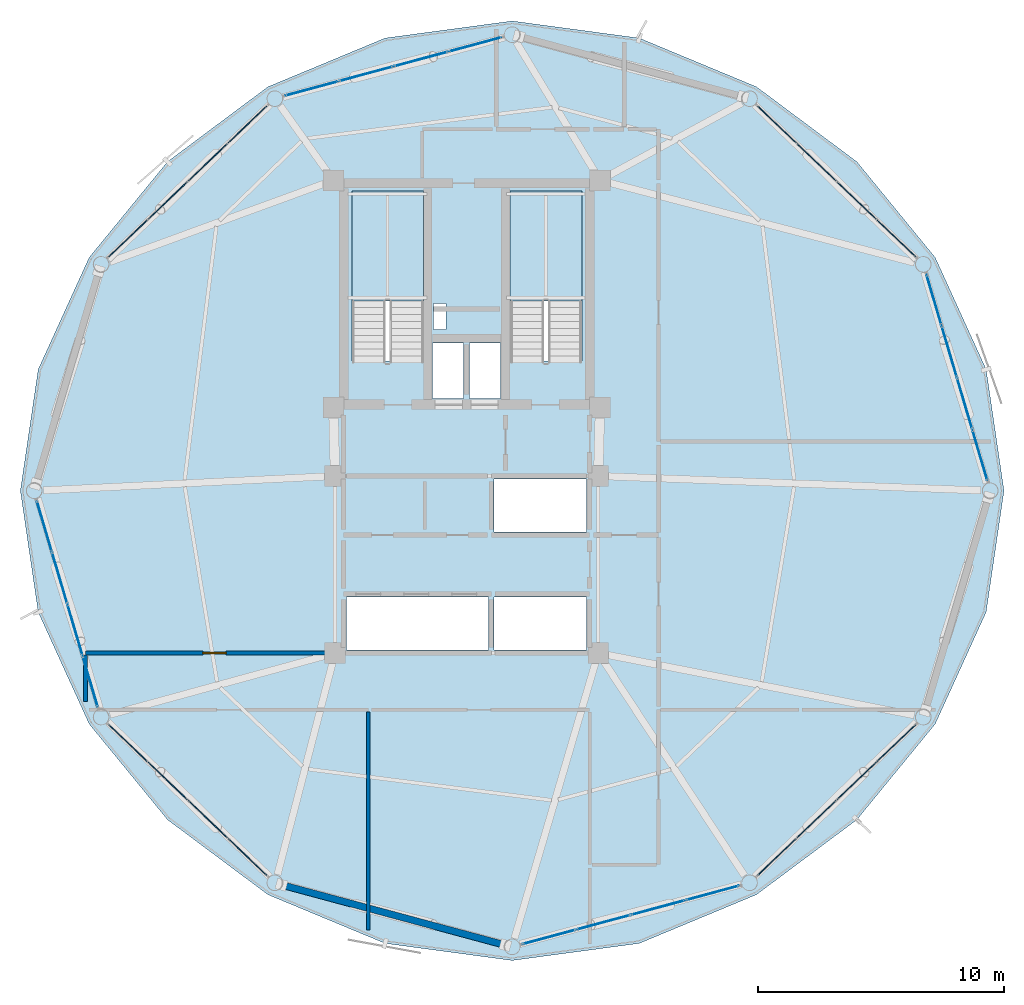
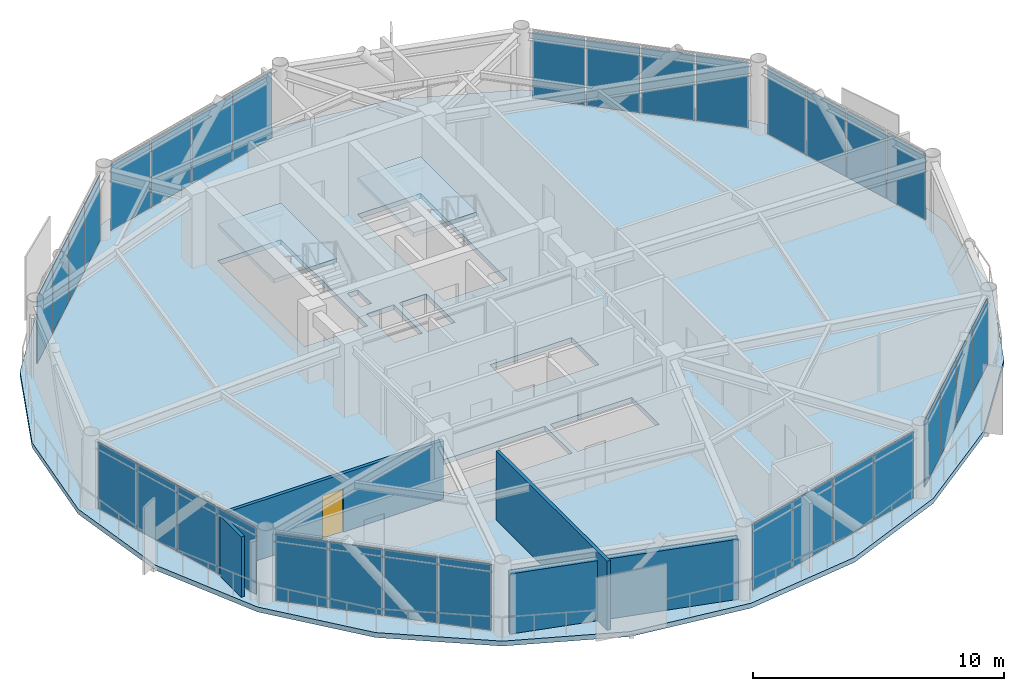
# One storey, part 23 of 28: 32 plates, 4 walls, 3 slabs, 1 door, 1 opening, 10 elements without a shape of their own.
"""IFC4 building model written with IfcOpenShell, lengths in metres."""

from ifc_helpers import new_model, si_unit, direction, frame, frame_2d, origin, origin_2d, place, context, subcontext, project, spatial, polyline, rectangle, outline, extrude, source, transform, mapped, material, layer, layer_set, type_object, type_shapes, element, fill, aggregate, save


model = new_model("IFC4")

# Units and contexts
model_context = context("Model", 3, precision=1e-05, world=origin(), true_north=direction((0.0, 1.0)))
body_context = subcontext(model_context, "Body", "Model", "MODEL_VIEW")
ifc_project = project(units=[si_unit("LENGTHUNIT", "METRE"), si_unit("AREAUNIT", "SQUARE_METRE"), si_unit("VOLUMEUNIT", "CUBIC_METRE"), si_unit("PLANEANGLEUNIT", "RADIAN"), si_unit("MASSUNIT", "GRAM", prefix="KILO")], contexts=[model_context])

# Site, building, storey
site_placement = place(None, origin())
site = spatial("IfcSite", under=ifc_project, at=site_placement, CompositionType="ELEMENT")
building_placement = place(site_placement, origin())
building = spatial("IfcBuilding", under=site, at=building_placement, Name="Varnakorn Sky Granary", CompositionType="ELEMENT")
storey_placement = place(building_placement, frame((0.0, 0.0, 196.800048828125)))
storey = spatial("IfcBuildingStorey", under=building, at=storey_placement, Name="L49", CompositionType="ELEMENT", Elevation=196.800048828125)

# Stair, slab
ifc_material_1 = material(Name="Concrete C40/50", Category="concrete")
stair_type = type_object("IfcStairType", Name="ST-MAIN-ASSEMBLY", PredefinedType="HALF_TURN_STAIR", material=ifc_material_1)
stair_1_placement = place(storey_placement, origin())
stair_1 = element("IfcStair", 1, at=stair_1_placement, inside=storey, type_object=stair_type, Name="L49 Protected Exit Stair ST-1", PredefinedType="HALF_TURN_STAIR")
ifc_layer_1 = layer(ifc_material_1, 0.199951171875, Name="Concrete C40/50")
ifc_layer_set_1 = layer_set([ifc_layer_1], Name="Concrete C40/50")
slab_type_1 = type_object("IfcSlabType", Name="ST-MAIN-LAND", PredefinedType="LANDING", material=ifc_layer_set_1)
slab_1_placement = place(storey_placement, frame((0.0, 0.0, 1.599853515625)))
slab_1 = element("IfcSlab", 2, at=slab_1_placement, type_object=slab_type_1, Name="ST-1 landing 1", PredefinedType="LANDING", context=body_context, shape_type="SweptSolid", body=[
    extrude(outline(polyline([(1.239990234375, 7.719970703125), (1.239990234375, 12.179931640625), (-1.669921875, 12.179931640625), (-1.669921875, 7.719970703125), (1.239990234375, 7.719970703125)])), origin(), (0.0, 0.0, 1.0), 0.2001953125),
])
aggregate(stair_1, [slab_1])

stair_2_placement = place(storey_placement, origin())
stair_2 = element("IfcStair", 3, at=stair_2_placement, inside=storey, type_object=stair_type, Name="L49 Protected Exit Stair ST-2", PredefinedType="HALF_TURN_STAIR")
slab_2_placement = place(storey_placement, frame((0.0, 0.0, 1.599853515625)))
slab_2 = element("IfcSlab", 4, at=slab_2_placement, type_object=slab_type_1, Name="ST-2 landing 1", PredefinedType="LANDING", context=body_context, shape_type="SweptSolid", body=[
    extrude(outline(polyline([(7.679931640625, 7.719970703125), (7.679931640625, 12.179931640625), (4.77001953125, 12.179931640625), (4.77001953125, 7.719970703125), (7.679931640625, 7.719970703125)])), origin(), (0.0, 0.0, 1.0), 0.2001953125),
])
aggregate(stair_2, [slab_2])

# Slab
ifc_material_2 = material(Name="Concrete C50/60", Category="concrete")
ifc_layer_2 = layer(ifc_material_2, 0.239990234375, Name="Concrete C50/60")
ifc_layer_set_2 = layer_set([ifc_layer_2], Name="Concrete C50/60")
slab_type_2 = type_object("IfcSlabType", Name="ST-SL-TWR-240", PredefinedType="FLOOR", material=ifc_layer_set_2)
slab_3_placement = place(storey_placement, frame((0.0, 0.0, -0.239990234375)))
element("IfcSlab", 5, at=slab_3_placement, inside=storey, type_object=slab_type_2, Name="Level L49 Structural Floor Slab", PredefinedType="FLOOR", context=body_context, shape_type="SweptSolid", body=[
    extrude(outline(polyline([(24.843994140625, 0.0), (24.119384765625, 4.930908203125), (22.04833984375, 9.48095703125), (18.860595703125, 13.376220703125), (14.779541015625, 16.421630859375), (10.01318359375, 18.40283203125), (4.85009765625, 19.096923828125), (-0.313232421875, 18.40283203125), (-5.07958984375, 16.421630859375), (-9.16064453125, 13.376220703125), (-12.348388671875, 9.48095703125), (-14.419189453125, 4.930908203125), (-15.14404296875, 0.0), (-14.419189453125, -4.930908203125), (-12.348388671875, -9.48095703125), (-9.16064453125, -13.376220703125), (-5.07958984375, -16.421630859375), (-0.313232421875, -18.40283203125), (4.85009765625, -19.096923828125), (10.01318359375, -18.40283203125), (14.779541015625, -16.421630859375), (18.860595703125, -13.376220703125), (22.04833984375, -9.48095703125), (24.119384765625, -4.930908203125), (24.843994140625, 0.0)]), holes=[polyline([(1.239990234375, 5.27490234375), (1.239990234375, 12.179931640625), (-1.669921875, 12.179931640625), (-1.669921875, 5.27490234375), (1.239990234375, 5.27490234375)]), polyline([(7.679931640625, 5.27490234375), (7.679931640625, 12.179931640625), (4.77001953125, 12.179931640625), (4.77001953125, 5.27490234375), (7.679931640625, 5.27490234375)]), polyline([(1.659912109375, 6.550048828125), (2.14990234375, 6.550048828125), (2.14990234375, 7.6201171875), (1.659912109375, 7.6201171875), (1.659912109375, 6.550048828125)]), polyline([(1.6201171875, 3.739990234375), (2.8798828125, 3.739990234375), (2.8798828125, 6.010009765625), (1.6201171875, 6.010009765625), (1.6201171875, 3.739990234375)]), polyline([(3.1201171875, 3.739990234375), (4.3798828125, 3.739990234375), (4.3798828125, 6.010009765625), (3.1201171875, 6.010009765625), (3.1201171875, 3.739990234375)]), polyline([(4.1201171875, -1.679931640625), (7.8798828125, -1.679931640625), (7.8798828125, 0.47998046875), (4.1201171875, 0.47998046875), (4.1201171875, -1.679931640625)]), polyline([(-1.8798828125, -6.47998046875), (3.8798828125, -6.47998046875), (3.8798828125, -4.320068359375), (-1.8798828125, -4.320068359375), (-1.8798828125, -6.47998046875)]), polyline([(4.1201171875, -6.47998046875), (7.8798828125, -6.47998046875), (7.8798828125, -4.320068359375), (4.1201171875, -4.320068359375), (4.1201171875, -6.47998046875)])]), origin(), (0.0, 0.0, 1.0), 0.239990234375),
])

# Curtain wall, plates
ifc_material_3 = material(Name="Anodised Bronze Aluminium Alloy 6063-T6", Category="aluminium")
ifc_layer_3 = layer(ifc_material_3, 0.169921875, Name="Anodised Bronze Aluminium Alloy 6063-T6")
ifc_layer_set_3 = layer_set([ifc_layer_3], Name="Anodised Bronze Aluminium Alloy 6063-T6")
curtain_wall_type = type_object("IfcCurtainWallType", Name="CW-LAB-1", PredefinedType="USERDEFINED", material=ifc_layer_set_3)
curtain_wall_1_placement = place(storey_placement, origin())
curtain_wall_1 = element("IfcCurtainWall", 6, at=curtain_wall_1_placement, inside=storey, type_object=curtain_wall_type, Name="Unitised Curtain Wall CW5 CW-L49-B01", ObjectType="CURTAIN WALL", PredefinedType="USERDEFINED")
ifc_material_4 = material(Name="Low-E Tinted Laminated Glass", Category="glass")
ifc_layer_4 = layer(ifc_material_4, 0.033935546875, Name="Low-E Tinted Laminated Glass")
ifc_layer_set_4 = layer_set([ifc_layer_4], Name="Low-E Tinted Laminated Glass")
plate_type = type_object("IfcPlateType", Name="CW-LAB-1-PNL", PredefinedType="CURTAIN_PANEL")
shared_shape_1 = source(origin(), body_context, "Body", "SweptSolid", [
    extrude(rectangle(XDim=2.107421875, YDim=0.033935546875, at=origin_2d()), origin(), (0.0, 0.0, 1.0), 3.219970703125),
])
plate_1_placement = place(storey_placement, frame((22.0, 7.75927734375, 0.06982421875), z_axis=(0.0, 0.0, 1.0), x_axis=(0.283528146394, -0.958963914964, 0.0)))
plate_1 = element("IfcPlate", 7, at=plate_1_placement, type_object=plate_type, material=ifc_layer_set_4, Name="CW5 vision glazing unit 1.1", PredefinedType="CURTAIN_PANEL", context=body_context, shape_type="MappedRepresentation", body=[
    mapped(shared_shape_1, transform((0.0, 0.0, 0.0), x_axis=(1.0, 0.0, 0.0), y_axis=(0.0, 1.0, 0.0), z_axis=(0.0, 0.0, 1.0), scale=1.0)),
])
plate_2_placement = place(storey_placement, frame((23.8662109375, 1.44677734375, 0.06982421875), z_axis=(0.0, 0.0, 1.0), x_axis=(0.283528146394, -0.958963914964, 0.0)))
plate_2 = element("IfcPlate", 8, at=plate_2_placement, type_object=plate_type, material=ifc_layer_set_4, Name="CW5 vision glazing unit 4.1", PredefinedType="CURTAIN_PANEL", context=body_context, shape_type="MappedRepresentation", body=[
    mapped(shared_shape_1, transform((0.0, 0.0, 0.0), x_axis=(1.0, 0.0, 0.0), y_axis=(0.0, 1.0, 0.0), z_axis=(0.0, 0.0, 1.0), scale=1.0)),
])

curtain_wall_2_placement = place(storey_placement, origin())
curtain_wall_2 = element("IfcCurtainWall", 9, at=curtain_wall_2_placement, inside=storey, type_object=curtain_wall_type, Name="Unitised Curtain Wall CW5 CW-L49-B07", ObjectType="CURTAIN WALL", PredefinedType="USERDEFINED")
plate_3_placement = place(storey_placement, frame((-12.2998046875, -7.75927734375, 0.06982421875), z_axis=(0.0, 0.0, 1.0), x_axis=(-0.283528146394, 0.958963914964, 0.0)))
plate_3 = element("IfcPlate", 10, at=plate_3_placement, type_object=plate_type, material=ifc_layer_set_4, Name="CW5 vision glazing unit 1.1", PredefinedType="CURTAIN_PANEL", context=body_context, shape_type="MappedRepresentation", body=[
    mapped(shared_shape_1, transform((0.0, 0.0, 0.0), x_axis=(1.0, 0.0, 0.0), y_axis=(0.0, 1.0, 0.0), z_axis=(0.0, 0.0, 1.0), scale=1.0)),
])
plate_4_placement = place(storey_placement, frame((-14.166259765625, -1.44677734375, 0.06982421875), z_axis=(0.0, 0.0, 1.0), x_axis=(-0.283528146394, 0.958963914964, 0.0)))
plate_4 = element("IfcPlate", 11, at=plate_4_placement, type_object=plate_type, material=ifc_layer_set_4, Name="CW5 vision glazing unit 4.1", PredefinedType="CURTAIN_PANEL", context=body_context, shape_type="MappedRepresentation", body=[
    mapped(shared_shape_1, transform((0.0, 0.0, 0.0), x_axis=(1.0, 0.0, 0.0), y_axis=(0.0, 1.0, 0.0), z_axis=(0.0, 0.0, 1.0), scale=1.0)),
])

# Plate
ifc_material_5 = material(Name="Opaque Insulated Aluminium Shadow-Box Unit", Category="aluminium")
ifc_layer_5 = layer(ifc_material_5, 0.033935546875, Name="Opaque Insulated Aluminium Shadow-Box Unit")
ifc_layer_set_5 = layer_set([ifc_layer_5], Name="Opaque Insulated Aluminium Shadow-Box Unit")
shared_shape_2 = source(origin(), body_context, "Body", "SweptSolid", [
    extrude(rectangle(XDim=2.139892578125, YDim=0.033935546875, at=origin_2d()), origin(), (0.0, 0.0, 1.0), 3.219970703125),
])
plate_5_placement = place(storey_placement, frame((22.620361328125, 5.66015625, 0.06982421875), z_axis=(0.0, 0.0, 1.0), x_axis=(0.283528146394, -0.958963914964, 0.0)))
plate_5 = element("IfcPlate", 12, at=plate_5_placement, type_object=plate_type, material=ifc_layer_set_5, Name="CW5 opaque insulated shadow-box unit 2.1", PredefinedType="CURTAIN_PANEL", context=body_context, shape_type="MappedRepresentation", body=[
    mapped(shared_shape_2, transform((0.0, 0.0, 0.0), x_axis=(1.0, 0.0, 0.0), y_axis=(0.0, 1.0, 0.0), z_axis=(0.0, 0.0, 1.0), scale=1.0)),
])

plate_6_placement = place(storey_placement, frame((23.24560546875, 3.545654296875, 0.06982421875), z_axis=(0.0, 0.0, 1.0), x_axis=(0.283528146394, -0.958963914964, 0.0)))
plate_6 = element("IfcPlate", 13, at=plate_6_placement, type_object=plate_type, material=ifc_layer_set_5, Name="CW5 opaque insulated shadow-box unit 3.1", PredefinedType="CURTAIN_PANEL", context=body_context, shape_type="MappedRepresentation", body=[
    mapped(shared_shape_2, transform((0.0, 0.0, 0.0), x_axis=(1.0, 0.0, 0.0), y_axis=(0.0, 1.0, 0.0), z_axis=(0.0, 0.0, 1.0), scale=1.0)),
])

aggregate(curtain_wall_1, [plate_1, plate_5, plate_6, plate_2])

plate_7_placement = place(storey_placement, frame((-12.92041015625, -5.66015625, 0.06982421875), z_axis=(0.0, 0.0, 1.0), x_axis=(-0.283528146394, 0.958963914964, 0.0)))
plate_7 = element("IfcPlate", 14, at=plate_7_placement, type_object=plate_type, material=ifc_layer_set_5, Name="CW5 opaque insulated shadow-box unit 2.1", PredefinedType="CURTAIN_PANEL", context=body_context, shape_type="MappedRepresentation", body=[
    mapped(shared_shape_2, transform((0.0, 0.0, 0.0), x_axis=(1.0, 0.0, 0.0), y_axis=(0.0, 1.0, 0.0), z_axis=(0.0, 0.0, 1.0), scale=1.0)),
])

plate_8_placement = place(storey_placement, frame((-13.545654296875, -3.545654296875, 0.06982421875), z_axis=(0.0, 0.0, 1.0), x_axis=(-0.283528146394, 0.958963914964, 0.0)))
plate_8 = element("IfcPlate", 15, at=plate_8_placement, type_object=plate_type, material=ifc_layer_set_5, Name="CW5 opaque insulated shadow-box unit 3.1", PredefinedType="CURTAIN_PANEL", context=body_context, shape_type="MappedRepresentation", body=[
    mapped(shared_shape_2, transform((0.0, 0.0, 0.0), x_axis=(1.0, 0.0, 0.0), y_axis=(0.0, 1.0, 0.0), z_axis=(0.0, 0.0, 1.0), scale=1.0)),
])

aggregate(curtain_wall_2, [plate_3, plate_7, plate_8, plate_4])

# Curtain wall, plates
curtain_wall_3_placement = place(storey_placement, origin())
curtain_wall_3 = element("IfcCurtainWall", 16, at=curtain_wall_3_placement, inside=storey, type_object=curtain_wall_type, Name="Unitised Curtain Wall CW5 CW-L49-B02", ObjectType="CURTAIN WALL", PredefinedType="USERDEFINED")
shared_shape_3 = source(origin(), body_context, "Body", "SweptSolid", [
    extrude(rectangle(XDim=2.14892578125, YDim=0.033935546875, at=origin_2d()), origin(), (0.0, 0.0, 1.0), 3.219970703125),
])
plate_9_placement = place(storey_placement, frame((15.611328125, 14.889892578125, 0.06982421875), z_axis=(0.0, 0.0, 1.0), x_axis=(0.723716734424, -0.690097158605, 0.0)))
plate_9 = element("IfcPlate", 17, at=plate_9_placement, type_object=plate_type, material=ifc_layer_set_4, Name="CW5 vision glazing unit 1.1", PredefinedType="CURTAIN_PANEL", context=body_context, shape_type="MappedRepresentation", body=[
    mapped(shared_shape_3, transform((0.0, 0.0, 0.0), x_axis=(1.0, 0.0, 0.0), y_axis=(0.0, 1.0, 0.0), z_axis=(0.0, 0.0, 1.0), scale=1.0)),
])
plate_10_placement = place(storey_placement, frame((20.46533203125, 10.261474609375, 0.06982421875), z_axis=(0.0, 0.0, 1.0), x_axis=(0.723716734424, -0.690097158605, 0.0)))
plate_10 = element("IfcPlate", 18, at=plate_10_placement, type_object=plate_type, material=ifc_layer_set_4, Name="CW5 vision glazing unit 4.1", PredefinedType="CURTAIN_PANEL", context=body_context, shape_type="MappedRepresentation", body=[
    mapped(shared_shape_3, transform((0.0, 0.0, 0.0), x_axis=(1.0, 0.0, 0.0), y_axis=(0.0, 1.0, 0.0), z_axis=(0.0, 0.0, 1.0), scale=1.0)),
])

curtain_wall_4_placement = place(storey_placement, origin())
curtain_wall_4 = element("IfcCurtainWall", 19, at=curtain_wall_4_placement, inside=storey, type_object=curtain_wall_type, Name="Unitised Curtain Wall CW5 CW-L49-B05", ObjectType="CURTAIN WALL", PredefinedType="USERDEFINED")
plate_11_placement = place(storey_placement, frame((-10.76513671875, 10.261474609375, 0.06982421875), z_axis=(0.0, 0.0, 1.0), x_axis=(0.723716734424, 0.690097158605, 0.0)))
plate_11 = element("IfcPlate", 20, at=plate_11_placement, type_object=plate_type, material=ifc_layer_set_4, Name="CW5 vision glazing unit 1.1", PredefinedType="CURTAIN_PANEL", context=body_context, shape_type="MappedRepresentation", body=[
    mapped(shared_shape_3, transform((0.0, 0.0, 0.0), x_axis=(1.0, 0.0, 0.0), y_axis=(0.0, 1.0, 0.0), z_axis=(0.0, 0.0, 1.0), scale=1.0)),
])
plate_12_placement = place(storey_placement, frame((-5.911376953125, 14.889892578125, 0.06982421875), z_axis=(0.0, 0.0, 1.0), x_axis=(0.723716734424, 0.690097158605, 0.0)))
plate_12 = element("IfcPlate", 21, at=plate_12_placement, type_object=plate_type, material=ifc_layer_set_4, Name="CW5 vision glazing unit 4.1", PredefinedType="CURTAIN_PANEL", context=body_context, shape_type="MappedRepresentation", body=[
    mapped(shared_shape_3, transform((0.0, 0.0, 0.0), x_axis=(1.0, 0.0, 0.0), y_axis=(0.0, 1.0, 0.0), z_axis=(0.0, 0.0, 1.0), scale=1.0)),
])

curtain_wall_5_placement = place(storey_placement, origin())
curtain_wall_5 = element("IfcCurtainWall", 22, at=curtain_wall_5_placement, inside=storey, type_object=curtain_wall_type, Name="Unitised Curtain Wall CW5 CW-L49-B08", ObjectType="CURTAIN WALL", PredefinedType="USERDEFINED")
plate_13_placement = place(storey_placement, frame((-5.911376953125, -14.889892578125, 0.06982421875), z_axis=(0.0, 0.0, 1.0), x_axis=(-0.723716734424, 0.690097158605, 0.0)))
plate_13 = element("IfcPlate", 23, at=plate_13_placement, type_object=plate_type, material=ifc_layer_set_4, Name="CW5 vision glazing unit 1.1", PredefinedType="CURTAIN_PANEL", context=body_context, shape_type="MappedRepresentation", body=[
    mapped(shared_shape_3, transform((0.0, 0.0, 0.0), x_axis=(1.0, 0.0, 0.0), y_axis=(0.0, 1.0, 0.0), z_axis=(0.0, 0.0, 1.0), scale=1.0)),
])
plate_14_placement = place(storey_placement, frame((-10.76513671875, -10.261474609375, 0.06982421875), z_axis=(0.0, 0.0, 1.0), x_axis=(-0.723716734424, 0.690097158605, 0.0)))
plate_14 = element("IfcPlate", 24, at=plate_14_placement, type_object=plate_type, material=ifc_layer_set_4, Name="CW5 vision glazing unit 4.1", PredefinedType="CURTAIN_PANEL", context=body_context, shape_type="MappedRepresentation", body=[
    mapped(shared_shape_3, transform((0.0, 0.0, 0.0), x_axis=(1.0, 0.0, 0.0), y_axis=(0.0, 1.0, 0.0), z_axis=(0.0, 0.0, 1.0), scale=1.0)),
])

curtain_wall_6_placement = place(storey_placement, origin())
curtain_wall_6 = element("IfcCurtainWall", 25, at=curtain_wall_6_placement, inside=storey, type_object=curtain_wall_type, Name="Unitised Curtain Wall CW5 CW-L49-B11", ObjectType="CURTAIN WALL", PredefinedType="USERDEFINED")
plate_15_placement = place(storey_placement, frame((20.46533203125, -10.261474609375, 0.06982421875), z_axis=(0.0, 0.0, 1.0), x_axis=(-0.723716734424, -0.690097158605, 0.0)))
plate_15 = element("IfcPlate", 26, at=plate_15_placement, type_object=plate_type, material=ifc_layer_set_4, Name="CW5 vision glazing unit 1.1", PredefinedType="CURTAIN_PANEL", context=body_context, shape_type="MappedRepresentation", body=[
    mapped(shared_shape_3, transform((0.0, 0.0, 0.0), x_axis=(1.0, 0.0, 0.0), y_axis=(0.0, 1.0, 0.0), z_axis=(0.0, 0.0, 1.0), scale=1.0)),
])
plate_16_placement = place(storey_placement, frame((15.611328125, -14.889892578125, 0.06982421875), z_axis=(0.0, 0.0, 1.0), x_axis=(-0.723716734424, -0.690097158605, 0.0)))
plate_16 = element("IfcPlate", 27, at=plate_16_placement, type_object=plate_type, material=ifc_layer_set_4, Name="CW5 vision glazing unit 4.1", PredefinedType="CURTAIN_PANEL", context=body_context, shape_type="MappedRepresentation", body=[
    mapped(shared_shape_3, transform((0.0, 0.0, 0.0), x_axis=(1.0, 0.0, 0.0), y_axis=(0.0, 1.0, 0.0), z_axis=(0.0, 0.0, 1.0), scale=1.0)),
])

# Plate
shared_shape_4 = source(origin(), body_context, "Body", "SweptSolid", [
    extrude(rectangle(XDim=2.181396484375, YDim=0.033935546875, at=origin_2d()), origin(), (0.0, 0.0, 1.0), 3.219970703125),
])
plate_17_placement = place(storey_placement, frame((17.225341796875, 13.350830078125, 0.06982421875), z_axis=(0.0, 0.0, 1.0), x_axis=(0.723716734424, -0.690097158605, 0.0)))
plate_17 = element("IfcPlate", 28, at=plate_17_placement, type_object=plate_type, material=ifc_layer_set_5, Name="CW5 opaque insulated shadow-box unit 2.1", PredefinedType="CURTAIN_PANEL", context=body_context, shape_type="MappedRepresentation", body=[
    mapped(shared_shape_4, transform((0.0, 0.0, 0.0), x_axis=(1.0, 0.0, 0.0), y_axis=(0.0, 1.0, 0.0), z_axis=(0.0, 0.0, 1.0), scale=1.0)),
])

plate_18_placement = place(storey_placement, frame((18.851318359375, 11.800537109375, 0.06982421875), z_axis=(0.0, 0.0, 1.0), x_axis=(0.723716734424, -0.690097158605, 0.0)))
plate_18 = element("IfcPlate", 29, at=plate_18_placement, type_object=plate_type, material=ifc_layer_set_5, Name="CW5 opaque insulated shadow-box unit 3.1", PredefinedType="CURTAIN_PANEL", context=body_context, shape_type="MappedRepresentation", body=[
    mapped(shared_shape_4, transform((0.0, 0.0, 0.0), x_axis=(1.0, 0.0, 0.0), y_axis=(0.0, 1.0, 0.0), z_axis=(0.0, 0.0, 1.0), scale=1.0)),
])

aggregate(curtain_wall_3, [plate_9, plate_17, plate_18, plate_10])

plate_19_placement = place(storey_placement, frame((-9.151123046875, 11.800537109375, 0.06982421875), z_axis=(0.0, 0.0, 1.0), x_axis=(0.723716734424, 0.690097158605, 0.0)))
plate_19 = element("IfcPlate", 30, at=plate_19_placement, type_object=plate_type, material=ifc_layer_set_5, Name="CW5 opaque insulated shadow-box unit 2.1", PredefinedType="CURTAIN_PANEL", context=body_context, shape_type="MappedRepresentation", body=[
    mapped(shared_shape_4, transform((0.0, 0.0, 0.0), x_axis=(1.0, 0.0, 0.0), y_axis=(0.0, 1.0, 0.0), z_axis=(0.0, 0.0, 1.0), scale=1.0)),
])

plate_20_placement = place(storey_placement, frame((-7.525390625, 13.350830078125, 0.06982421875), z_axis=(0.0, 0.0, 1.0), x_axis=(0.723716734424, 0.690097158605, 0.0)))
plate_20 = element("IfcPlate", 31, at=plate_20_placement, type_object=plate_type, material=ifc_layer_set_5, Name="CW5 opaque insulated shadow-box unit 3.1", PredefinedType="CURTAIN_PANEL", context=body_context, shape_type="MappedRepresentation", body=[
    mapped(shared_shape_4, transform((0.0, 0.0, 0.0), x_axis=(1.0, 0.0, 0.0), y_axis=(0.0, 1.0, 0.0), z_axis=(0.0, 0.0, 1.0), scale=1.0)),
])

aggregate(curtain_wall_4, [plate_11, plate_19, plate_20, plate_12])

plate_21_placement = place(storey_placement, frame((-7.525390625, -13.350830078125, 0.06982421875), z_axis=(0.0, 0.0, 1.0), x_axis=(-0.723716734424, 0.690097158605, 0.0)))
plate_21 = element("IfcPlate", 32, at=plate_21_placement, type_object=plate_type, material=ifc_layer_set_5, Name="CW5 opaque insulated shadow-box unit 2.1", PredefinedType="CURTAIN_PANEL", context=body_context, shape_type="MappedRepresentation", body=[
    mapped(shared_shape_4, transform((0.0, 0.0, 0.0), x_axis=(1.0, 0.0, 0.0), y_axis=(0.0, 1.0, 0.0), z_axis=(0.0, 0.0, 1.0), scale=1.0)),
])

plate_22_placement = place(storey_placement, frame((-9.151123046875, -11.800537109375, 0.06982421875), z_axis=(0.0, 0.0, 1.0), x_axis=(-0.723716734424, 0.690097158605, 0.0)))
plate_22 = element("IfcPlate", 33, at=plate_22_placement, type_object=plate_type, material=ifc_layer_set_5, Name="CW5 opaque insulated shadow-box unit 3.1", PredefinedType="CURTAIN_PANEL", context=body_context, shape_type="MappedRepresentation", body=[
    mapped(shared_shape_4, transform((0.0, 0.0, 0.0), x_axis=(1.0, 0.0, 0.0), y_axis=(0.0, 1.0, 0.0), z_axis=(0.0, 0.0, 1.0), scale=1.0)),
])

aggregate(curtain_wall_5, [plate_13, plate_21, plate_22, plate_14])

plate_23_placement = place(storey_placement, frame((18.851318359375, -11.800537109375, 0.06982421875), z_axis=(0.0, 0.0, 1.0), x_axis=(-0.723716734424, -0.690097158605, 0.0)))
plate_23 = element("IfcPlate", 34, at=plate_23_placement, type_object=plate_type, material=ifc_layer_set_5, Name="CW5 opaque insulated shadow-box unit 2.1", PredefinedType="CURTAIN_PANEL", context=body_context, shape_type="MappedRepresentation", body=[
    mapped(shared_shape_4, transform((0.0, 0.0, 0.0), x_axis=(1.0, 0.0, 0.0), y_axis=(0.0, 1.0, 0.0), z_axis=(0.0, 0.0, 1.0), scale=1.0)),
])

plate_24_placement = place(storey_placement, frame((17.225341796875, -13.350830078125, 0.06982421875), z_axis=(0.0, 0.0, 1.0), x_axis=(-0.723716734424, -0.690097158605, 0.0)))
plate_24 = element("IfcPlate", 35, at=plate_24_placement, type_object=plate_type, material=ifc_layer_set_5, Name="CW5 opaque insulated shadow-box unit 3.1", PredefinedType="CURTAIN_PANEL", context=body_context, shape_type="MappedRepresentation", body=[
    mapped(shared_shape_4, transform((0.0, 0.0, 0.0), x_axis=(1.0, 0.0, 0.0), y_axis=(0.0, 1.0, 0.0), z_axis=(0.0, 0.0, 1.0), scale=1.0)),
])

aggregate(curtain_wall_6, [plate_15, plate_23, plate_24, plate_16])

# Curtain wall, plates
curtain_wall_7_placement = place(storey_placement, origin())
curtain_wall_7 = element("IfcCurtainWall", 36, at=curtain_wall_7_placement, inside=storey, type_object=curtain_wall_type, Name="Unitised Curtain Wall CW5 CW-L49-B04", ObjectType="CURTAIN WALL", PredefinedType="USERDEFINED")
shared_shape_5 = source(origin(), body_context, "Body", "SweptSolid", [
    extrude(rectangle(XDim=2.207275390625, YDim=0.033935546875, at=origin_2d()), origin(), (0.0, 0.0, 1.0), 3.219970703125),
])
plate_25_placement = place(storey_placement, frame((-3.299560546875, 16.350830078125, 0.06982421875), z_axis=(0.0, 0.0, 1.0), x_axis=(0.965555930362, 0.260195590554, 0.0)))
plate_25 = element("IfcPlate", 37, at=plate_25_placement, type_object=plate_type, material=ifc_layer_set_4, Name="CW5 vision glazing unit 1.1", PredefinedType="CURTAIN_PANEL", context=body_context, shape_type="MappedRepresentation", body=[
    mapped(shared_shape_5, transform((0.0, 0.0, 0.0), x_axis=(1.0, 0.0, 0.0), y_axis=(0.0, 1.0, 0.0), z_axis=(0.0, 0.0, 1.0), scale=1.0)),
])
plate_26_placement = place(storey_placement, frame((3.344970703125, 18.141357421875, 0.06982421875), z_axis=(0.0, 0.0, 1.0), x_axis=(0.965555930362, 0.260195590554, 0.0)))
plate_26 = element("IfcPlate", 38, at=plate_26_placement, type_object=plate_type, material=ifc_layer_set_4, Name="CW5 vision glazing unit 4.1", PredefinedType="CURTAIN_PANEL", context=body_context, shape_type="MappedRepresentation", body=[
    mapped(shared_shape_5, transform((0.0, 0.0, 0.0), x_axis=(1.0, 0.0, 0.0), y_axis=(0.0, 1.0, 0.0), z_axis=(0.0, 0.0, 1.0), scale=1.0)),
])

curtain_wall_8_placement = place(storey_placement, origin())
curtain_wall_8 = element("IfcCurtainWall", 39, at=curtain_wall_8_placement, inside=storey, type_object=curtain_wall_type, Name="Unitised Curtain Wall CW5 CW-L49-B10", ObjectType="CURTAIN WALL", PredefinedType="USERDEFINED")
plate_27_placement = place(storey_placement, frame((12.99951171875, -16.350830078125, 0.06982421875), z_axis=(0.0, 0.0, 1.0), x_axis=(-0.965555930362, -0.260195590554, 0.0)))
plate_27 = element("IfcPlate", 40, at=plate_27_placement, type_object=plate_type, material=ifc_layer_set_4, Name="CW5 vision glazing unit 1.1", PredefinedType="CURTAIN_PANEL", context=body_context, shape_type="MappedRepresentation", body=[
    mapped(shared_shape_5, transform((0.0, 0.0, 0.0), x_axis=(1.0, 0.0, 0.0), y_axis=(0.0, 1.0, 0.0), z_axis=(0.0, 0.0, 1.0), scale=1.0)),
])
plate_28_placement = place(storey_placement, frame((6.35498046875, -18.141357421875, 0.06982421875), z_axis=(0.0, 0.0, 1.0), x_axis=(-0.965555930362, -0.260195590554, 0.0)))
plate_28 = element("IfcPlate", 41, at=plate_28_placement, type_object=plate_type, material=ifc_layer_set_4, Name="CW5 vision glazing unit 4.1", PredefinedType="CURTAIN_PANEL", context=body_context, shape_type="MappedRepresentation", body=[
    mapped(shared_shape_5, transform((0.0, 0.0, 0.0), x_axis=(1.0, 0.0, 0.0), y_axis=(0.0, 1.0, 0.0), z_axis=(0.0, 0.0, 1.0), scale=1.0)),
])

# Plate
shared_shape_6 = source(origin(), body_context, "Body", "SweptSolid", [
    extrude(rectangle(XDim=2.23974609375, YDim=0.033935546875, at=origin_2d()), origin(), (0.0, 0.0, 1.0), 3.219970703125),
])
type_shapes(plate_type, [shared_shape_1, shared_shape_2, shared_shape_3, shared_shape_4, shared_shape_5, shared_shape_6])
plate_29_placement = place(storey_placement, frame((-1.08984375, 16.9462890625, 0.06982421875), z_axis=(0.0, 0.0, 1.0), x_axis=(0.965555930362, 0.260195590554, 0.0)))
plate_29 = element("IfcPlate", 42, at=plate_29_placement, type_object=plate_type, material=ifc_layer_set_5, Name="CW5 opaque insulated shadow-box unit 2.1", PredefinedType="CURTAIN_PANEL", context=body_context, shape_type="MappedRepresentation", body=[
    mapped(shared_shape_6, transform((0.0, 0.0, 0.0), x_axis=(1.0, 0.0, 0.0), y_axis=(0.0, 1.0, 0.0), z_axis=(0.0, 0.0, 1.0), scale=1.0)),
])

plate_30_placement = place(storey_placement, frame((1.135498046875, 17.5458984375, 0.06982421875), z_axis=(0.0, 0.0, 1.0), x_axis=(0.965555930362, 0.260195590554, 0.0)))
plate_30 = element("IfcPlate", 43, at=plate_30_placement, type_object=plate_type, material=ifc_layer_set_5, Name="CW5 opaque insulated shadow-box unit 3.1", PredefinedType="CURTAIN_PANEL", context=body_context, shape_type="MappedRepresentation", body=[
    mapped(shared_shape_6, transform((0.0, 0.0, 0.0), x_axis=(1.0, 0.0, 0.0), y_axis=(0.0, 1.0, 0.0), z_axis=(0.0, 0.0, 1.0), scale=1.0)),
])

aggregate(curtain_wall_7, [plate_25, plate_29, plate_30, plate_26])

plate_31_placement = place(storey_placement, frame((10.789794921875, -16.9462890625, 0.06982421875), z_axis=(0.0, 0.0, 1.0), x_axis=(-0.965555930362, -0.260195590554, 0.0)))
plate_31 = element("IfcPlate", 44, at=plate_31_placement, type_object=plate_type, material=ifc_layer_set_5, Name="CW5 opaque insulated shadow-box unit 2.1", PredefinedType="CURTAIN_PANEL", context=body_context, shape_type="MappedRepresentation", body=[
    mapped(shared_shape_6, transform((0.0, 0.0, 0.0), x_axis=(1.0, 0.0, 0.0), y_axis=(0.0, 1.0, 0.0), z_axis=(0.0, 0.0, 1.0), scale=1.0)),
])

plate_32_placement = place(storey_placement, frame((8.564697265625, -17.5458984375, 0.06982421875), z_axis=(0.0, 0.0, 1.0), x_axis=(-0.965555930362, -0.260195590554, 0.0)))
plate_32 = element("IfcPlate", 45, at=plate_32_placement, type_object=plate_type, material=ifc_layer_set_5, Name="CW5 opaque insulated shadow-box unit 3.1", PredefinedType="CURTAIN_PANEL", context=body_context, shape_type="MappedRepresentation", body=[
    mapped(shared_shape_6, transform((0.0, 0.0, 0.0), x_axis=(1.0, 0.0, 0.0), y_axis=(0.0, 1.0, 0.0), z_axis=(0.0, 0.0, 1.0), scale=1.0)),
])

aggregate(curtain_wall_8, [plate_27, plate_31, plate_32, plate_28])

# Wall
ifc_material_6 = material(Name="Precast concrete C40/50", Category="concrete")
ifc_layer_6 = layer(ifc_material_6, 0.280029296875, Name="Precast concrete C40/50")
ifc_layer_set_6 = layer_set([ifc_layer_6], Name="Precast concrete C40/50")
wall_type_1 = type_object("IfcWallType", Name="WT-EW-CRN-280", PredefinedType="SOLIDWALL", material=ifc_layer_set_6)
wall_1_placement = place(storey_placement, frame((4.57470703125, -18.472900390625, 0.0), z_axis=(0.0, 0.0, 1.0), x_axis=(-0.965554731301, 0.260200040087, 0.0)))
element("IfcWall", 46, at=wall_1_placement, inside=storey, type_object=wall_type_1, Name="Agritech Insulated Precast Facade Wall L49-P09", PredefinedType="SOLIDWALL", context=body_context, shape_type="SweptSolid", body=[
    extrude(rectangle(XDim=9.4287109375, YDim=0.280029296875, at=frame_2d((4.71435546875, 0.0))), origin(), (0.0, 0.0, 1.0), 2.929931640625),
])

# Wall, opening, door
ifc_material_7 = material(Name="Gypsum Plasterboard on Steel Stud", Category="steel")
ifc_layer_7 = layer(ifc_material_7, 0.14990234375, Name="Gypsum Plasterboard on Steel Stud")
ifc_layer_set_7 = layer_set([ifc_layer_7], Name="Gypsum Plasterboard on Steel Stud")
wall_type_2 = type_object("IfcWallType", Name="WT-PART-150", PredefinedType="PARTITIONING", material=ifc_layer_set_7)
wall_2_placement = place(storey_placement, frame((-2.159912109375, -6.60009765625, 0.0), z_axis=(0.0, 0.0, 1.0), x_axis=(-1.0, 0.0, 0.0)))
wall_2 = element("IfcWall", 47, at=wall_2_placement, inside=storey, type_object=wall_type_2, Name="Interior Partition Wall L49-023", PredefinedType="PARTITIONING", context=body_context, shape_type="SweptSolid", body=[
    extrude(rectangle(XDim=10.340087890625, YDim=0.14990234375, at=frame_2d((5.169921875, 0.0))), origin(), (0.0, 0.0, 1.0), 2.842041015625),
])
opening_placement = place(wall_2_placement, frame((4.614990234375, 0.0, 0.0)))
opening = element("IfcOpeningElement", 48, at=opening_placement, cuts=wall_2, Name="Opening ID-95", PredefinedType="OPENING", context=body_context, shape_type="SweptSolid", body=[
    extrude(rectangle(XDim=0.949951171875, YDim=2.10009765625, at=frame_2d((0.47509765625, 1.050048828125))), frame((0.0, 0.0849609375, 0.0), z_axis=(0.0, -1.0, 0.0), x_axis=(1.0, 0.0, 0.0)), (0.0, 0.0, 1.0), 0.169921875),
])
ifc_material_8 = material(Name="Solid-Core Teak Veneer Leaf", Category="timber")
door_type = type_object("IfcDoorType", Name="DR-INT-950", OperationType="NOTDEFINED", PredefinedType="DOOR", material=ifc_material_8)
door_placement = place(opening_placement, origin())
door = element("IfcDoor", 49, at=door_placement, inside=storey, type_object=door_type, Name="Interior Door L49-023-1", OperationType="SINGLE_SWING_RIGHT", OverallHeight=2.10009765625, OverallWidth=0.949951171875, PredefinedType="DOOR", context=body_context, shape_type="SweptSolid", body=[
    extrude(rectangle(XDim=0.949951171875, YDim=2.10009765625, at=frame_2d((0.47509765625, 1.050048828125))), frame((0.0, 0.02490234375, 0.0), z_axis=(0.0, -1.0, 0.0), x_axis=(1.0, 0.0, 0.0)), (0.0, 0.0, 1.0), 0.050048828125),
])
fill(opening, door)

# Walls
wall_3_placement = place(storey_placement, frame((-1.0, -8.985107421875, 0.0), z_axis=(0.0, 0.0, 1.0), x_axis=(0.0, -1.0, 0.0)))
element("IfcWall", 50, at=wall_3_placement, inside=storey, type_object=wall_type_2, Name="Interior Partition Wall L49-032", PredefinedType="PARTITIONING", context=body_context, shape_type="SweptSolid", body=[
    extrude(rectangle(XDim=8.875, YDim=0.14990234375, at=frame_2d((4.4375, 0.0))), origin(), (0.0, 0.0, 1.0), 3.35986328125),
])
wall_4_placement = place(storey_placement, frame((-12.5, -6.68505859375, 0.0), z_axis=(0.0, 0.0, 1.0), x_axis=(0.0, -1.0, 0.0)))
element("IfcWall", 51, at=wall_4_placement, inside=storey, type_object=wall_type_2, Name="Interior Partition Wall L49-038", PredefinedType="PARTITIONING", context=body_context, shape_type="SweptSolid", body=[
    extrude(rectangle(XDim=1.886962890625, YDim=0.14990234375, at=frame_2d((0.943359375, 0.0))), origin(), (0.0, 0.0, 1.0), 2.94189453125),
])

save(model, "model.ifc")
